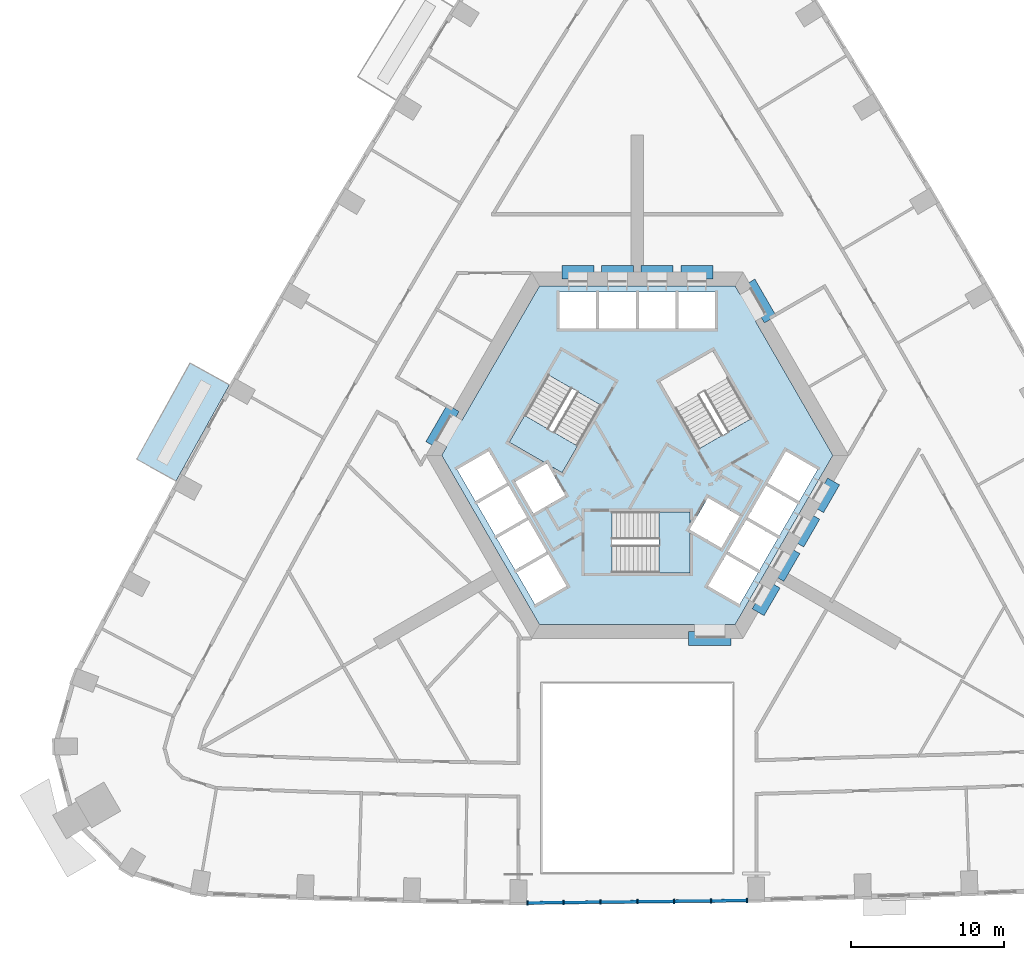
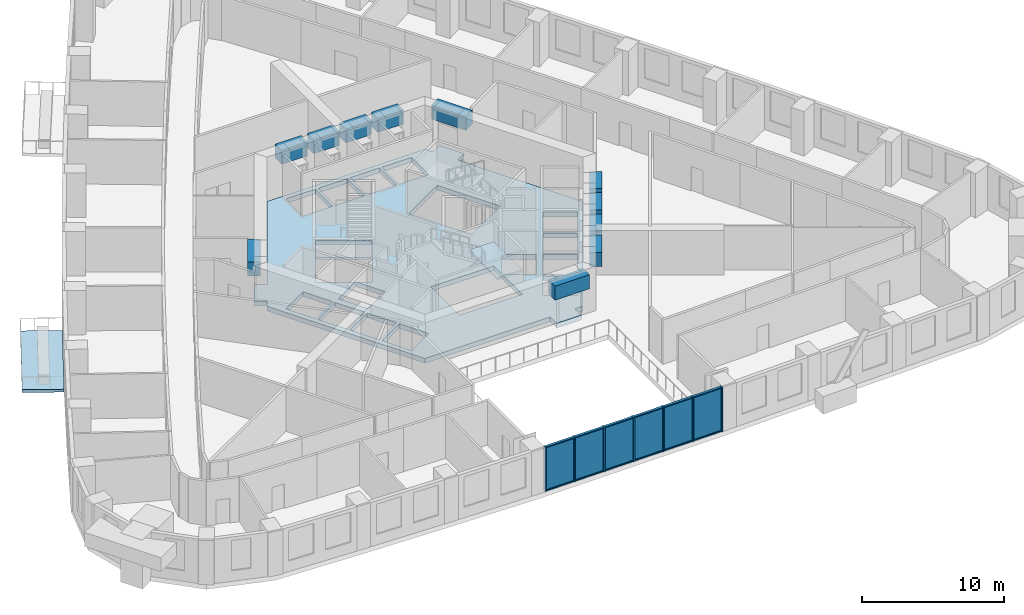
# One storey, part 2 of 15: 19 members, 11 beams, 6 plates, 4 slabs, 3 elements without a shape of their own.
"""IFC4 building model written with IfcOpenShell, lengths in metres."""

from ifc_helpers import new_model, si_unit, direction, frame, origin, origin_2d, place, context, subcontext, project, spatial, polyline, rectangle, outline, extrude, material, layer, layer_set, material_profile, profile_set, type_object, element, aggregate, save


model = new_model("IFC4")

# Units and contexts
model_context = context("Model", 3, precision=1e-05, world=origin(), true_north=direction((0.0, 1.0)))
body_context = subcontext(model_context, "Body", "Model", "MODEL_VIEW")
ifc_project = project(units=[si_unit("LENGTHUNIT", "METRE"), si_unit("AREAUNIT", "SQUARE_METRE"), si_unit("VOLUMEUNIT", "CUBIC_METRE"), si_unit("PLANEANGLEUNIT", "RADIAN"), si_unit("MASSUNIT", "GRAM", prefix="KILO")], contexts=[model_context])

# Site, building, storey
site_placement = place(None, origin())
site = spatial("IfcSite", under=ifc_project, at=site_placement, CompositionType="ELEMENT")
building_placement = place(site_placement, origin())
building = spatial("IfcBuilding", under=site, at=building_placement, Name="Entoto Arch Interchange Tower", CompositionType="ELEMENT")
storey_placement = place(building_placement, frame((0.0, 0.0, 107.60009765625)))
storey = spatial("IfcBuildingStorey", under=building, at=storey_placement, Name="L23", CompositionType="ELEMENT", Elevation=107.60009765625)

# Beams
ifc_material_1 = material(Name="Concrete C60/75", Category="concrete")
ifc_material_profile_1 = material_profile(ifc_material_1, rectangle(XDim=0.89990234375, YDim=1.199951171875, at=origin_2d()))
ifc_profile_set_1 = profile_set([ifc_material_profile_1], Name="Concrete C60/75")
beam_type = type_object("IfcBeamType", Name="Coupling beam RC 900x1200 C60/75", PredefinedType="BEAM", material=ifc_profile_set_1)
beam_1_placement = place(storey_placement, frame((8.717041015625, 11.402099609375, 3.0), z_axis=(-0.500200581029, 0.865909567298, 0.0), x_axis=(-0.865909567298, -0.500200581029, 0.0)))
element("IfcBeam", 1, at=beam_1_placement, inside=storey, type_object=beam_type, Name="Coupling beam NE L23", PredefinedType="BEAM", context=body_context, shape_type="SweptSolid", body=[
    extrude(rectangle(XDim=0.89990234375, YDim=1.199951171875, at=origin_2d()), origin(), (0.0, 0.0, 1.0), 2.799072265625),
])
beam_2_placement = place(storey_placement, frame((4.949951171875, 14.5, 3.0), z_axis=(-1.0, 0.0, 0.0), x_axis=(0.0, -1.0, 0.0)))
element("IfcBeam", 2, at=beam_2_placement, inside=storey, type_object=beam_type, Name="Coupling beam N L23", PredefinedType="BEAM", context=body_context, shape_type="SweptSolid", body=[
    extrude(rectangle(XDim=0.89990234375, YDim=1.199951171875, at=origin_2d()), origin(), (0.0, 0.0, 1.0), 2.099853515625),
])
for number, where, z_axis, x_axis, name in (
    (3, (2.35009765625, 14.5, 3.0), (-1.0, 0.0, 0.0), (0.0, -1.0, 0.0), "Coupling beam N L23"),
    (4, (-0.25, 14.5, 3.0), (-1.0, 0.0, 0.0), (0.0, -1.0, 0.0), "Coupling beam N L23"),
):
    element("IfcBeam", number, at=place(storey_placement, frame(where, z_axis=z_axis, x_axis=x_axis)), inside=storey, type_object=beam_type, Name=name, PredefinedType="BEAM", context=body_context, shape_type="SweptSolid", body=[
        extrude(rectangle(XDim=0.89990234375, YDim=1.199951171875, at=origin_2d()), origin(), (0.0, 0.0, 1.0), 2.10009765625),
    ])
beam_3_placement = place(storey_placement, frame((-2.85009765625, 14.5, 3.0), z_axis=(-1.0, 0.0, 0.0), x_axis=(0.0, -1.0, 0.0)))
element("IfcBeam", 5, at=beam_3_placement, inside=storey, type_object=beam_type, Name="Coupling beam N L23", PredefinedType="BEAM", context=body_context, shape_type="SweptSolid", body=[
    extrude(rectangle(XDim=0.89990234375, YDim=1.199951171875, at=origin_2d()), origin(), (0.0, 0.0, 1.0), 2.099853515625),
])
beam_4_placement = place(storey_placement, frame((-12.06689453125, 5.597900390625, 3.0), z_axis=(-0.500200581029, -0.865909567298, 0.0), x_axis=(0.865909567298, -0.500200581029, 0.0)))
element("IfcBeam", 6, at=beam_4_placement, inside=storey, type_object=beam_type, Name="Coupling beam NW L23", PredefinedType="BEAM", context=body_context, shape_type="SweptSolid", body=[
    extrude(rectangle(XDim=0.89990234375, YDim=1.199951171875, at=origin_2d()), origin(), (0.0, 0.0, 1.0), 2.799072265625),
])
beam_5_placement = place(storey_placement, frame((3.35009765625, -9.5, 3.0), z_axis=(1.0, 0.0, 0.0), x_axis=(0.0, 1.0, 0.0)))
element("IfcBeam", 7, at=beam_5_placement, inside=storey, type_object=beam_type, Name="Coupling beam S L23", PredefinedType="BEAM", context=body_context, shape_type="SweptSolid", body=[
    extrude(rectangle(XDim=0.89990234375, YDim=1.199951171875, at=origin_2d()), origin(), (0.0, 0.0, 1.0), 2.7998046875),
])
for number, where, z_axis, x_axis, name in (
    (8, (7.9169921875, -7.785888671875, 3.0), (0.500178781653, 0.865922159541, 0.0), (-0.865922159541, 0.500178781653, 0.0), "Coupling beam SE L23"),
    (9, (9.217041015625, -5.534912109375, 3.0), (0.500178781653, 0.865922159541, 0.0), (-0.865922159541, 0.500178781653, 0.0), "Coupling beam SE L23"),
):
    element("IfcBeam", number, at=place(storey_placement, frame(where, z_axis=z_axis, x_axis=x_axis)), inside=storey, type_object=beam_type, Name=name, PredefinedType="BEAM", context=body_context, shape_type="SweptSolid", body=[
        extrude(rectangle(XDim=0.89990234375, YDim=1.199951171875, at=origin_2d()), origin(), (0.0, 0.0, 1.0), 2.099365234375),
    ])
beam_6_placement = place(storey_placement, frame((10.51708984375, -3.282958984375, 3.0), z_axis=(0.500091574638, 0.865972526687, 0.0), x_axis=(-0.865972526687, 0.500091574638, 0.0)))
element("IfcBeam", 10, at=beam_6_placement, inside=storey, type_object=beam_type, Name="Coupling beam SE L23", PredefinedType="BEAM", context=body_context, shape_type="SweptSolid", body=[
    extrude(rectangle(XDim=0.89990234375, YDim=1.199951171875, at=origin_2d()), origin(), (0.0, 0.0, 1.0), 2.09912109375),
])
beam_7_placement = place(storey_placement, frame((11.81689453125, -1.031982421875, 3.0), z_axis=(0.500178781653, 0.865922159541, 0.0), x_axis=(-0.865922159541, 0.500178781653, 0.0)))
element("IfcBeam", 11, at=beam_7_placement, inside=storey, type_object=beam_type, Name="Coupling beam SE L23", PredefinedType="BEAM", context=body_context, shape_type="SweptSolid", body=[
    extrude(rectangle(XDim=0.89990234375, YDim=1.199951171875, at=origin_2d()), origin(), (0.0, 0.0, 1.0), 2.099365234375),
])

# Curtain wall, members
ifc_material_2 = material(Name="Aluminium, anodised", Category="aluminium")
curtain_wall_type = type_object("IfcCurtainWallType", Name="CURTAIN WALL ATRIUM", PredefinedType="NOTDEFINED", material=ifc_material_2)
curtain_wall_placement = place(storey_placement, origin())
curtain_wall = element("IfcCurtainWall", 12, at=curtain_wall_placement, inside=storey, type_object=curtain_wall_type, Name="Atrium glazing S-04 L23", PredefinedType="NOTDEFINED")
ifc_material_profile_2 = material_profile(ifc_material_2, rectangle(XDim=0.300048828125, YDim=0.10009765625, at=origin_2d()))
ifc_profile_set_2 = profile_set([ifc_material_profile_2], Name="Aluminium, anodised")
member_type_1 = type_object("IfcMemberType", Name="MULLION ATRIUM 100x300", PredefinedType="MULLION", material=ifc_profile_set_2)
member_1_placement = place(storey_placement, frame((-7.199951171875, -26.83447265625, 0.0), z_axis=(0.0, 0.0, 1.0), x_axis=(-0.011033811041, 0.999939125654, 0.0)))
member_1 = element("IfcMember", 13, at=member_1_placement, type_object=member_type_1, Name="CWA mullion 1", PredefinedType="MULLION", context=body_context, shape_type="SweptSolid", body=[
    extrude(rectangle(XDim=0.300048828125, YDim=0.10009765625, at=origin_2d()), origin(), (0.0, 0.0, 1.0), 3.7998046875),
])
member_2_placement = place(storey_placement, frame((-4.833251953125, -26.808349609375, 0.0), z_axis=(0.0, 0.0, 1.0), x_axis=(-0.011033811041, 0.999939125654, 0.0)))
member_2 = element("IfcMember", 14, at=member_2_placement, type_object=member_type_1, Name="CWA mullion 2", PredefinedType="MULLION", context=body_context, shape_type="SweptSolid", body=[
    extrude(rectangle(XDim=0.300048828125, YDim=0.10009765625, at=origin_2d()), origin(), (0.0, 0.0, 1.0), 3.7998046875),
])
member_3_placement = place(storey_placement, frame((-2.416748046875, -26.78173828125, 0.0), z_axis=(0.0, 0.0, 1.0), x_axis=(-0.011033811041, 0.999939125654, 0.0)))
member_3 = element("IfcMember", 15, at=member_3_placement, type_object=member_type_1, Name="CWA mullion 3", PredefinedType="MULLION", context=body_context, shape_type="SweptSolid", body=[
    extrude(rectangle(XDim=0.300048828125, YDim=0.10009765625, at=origin_2d()), origin(), (0.0, 0.0, 1.0), 3.7998046875),
])
member_4_placement = place(storey_placement, frame((0.0, -26.7548828125, 0.0), z_axis=(0.0, 0.0, 1.0), x_axis=(-0.011033811041, 0.999939125654, 0.0)))
member_4 = element("IfcMember", 16, at=member_4_placement, type_object=member_type_1, Name="CWA mullion 4", PredefinedType="MULLION", context=body_context, shape_type="SweptSolid", body=[
    extrude(rectangle(XDim=0.300048828125, YDim=0.10009765625, at=origin_2d()), origin(), (0.0, 0.0, 1.0), 3.7998046875),
])
member_5_placement = place(storey_placement, frame((2.416748046875, -26.728271484375, 0.0), z_axis=(0.0, 0.0, 1.0), x_axis=(-0.011033811041, 0.999939125654, 0.0)))
member_5 = element("IfcMember", 17, at=member_5_placement, type_object=member_type_1, Name="CWA mullion 5", PredefinedType="MULLION", context=body_context, shape_type="SweptSolid", body=[
    extrude(rectangle(XDim=0.300048828125, YDim=0.10009765625, at=origin_2d()), origin(), (0.0, 0.0, 1.0), 3.7998046875),
])
member_6_placement = place(storey_placement, frame((4.833251953125, -26.70166015625, 0.0), z_axis=(0.0, 0.0, 1.0), x_axis=(-0.011033811041, 0.999939125654, 0.0)))
member_6 = element("IfcMember", 18, at=member_6_placement, type_object=member_type_1, Name="CWA mullion 6", PredefinedType="MULLION", context=body_context, shape_type="SweptSolid", body=[
    extrude(rectangle(XDim=0.300048828125, YDim=0.10009765625, at=origin_2d()), origin(), (0.0, 0.0, 1.0), 3.7998046875),
])
member_7_placement = place(storey_placement, frame((7.199951171875, -26.675537109375, 0.0), z_axis=(0.0, 0.0, 1.0), x_axis=(-0.011033811041, 0.999939125654, 0.0)))
member_7 = element("IfcMember", 19, at=member_7_placement, type_object=member_type_1, Name="CWA mullion 7", PredefinedType="MULLION", context=body_context, shape_type="SweptSolid", body=[
    extrude(rectangle(XDim=0.300048828125, YDim=0.10009765625, at=origin_2d()), origin(), (0.0, 0.0, 1.0), 3.7998046875),
])
ifc_material_profile_3 = material_profile(ifc_material_2, rectangle(XDim=0.199951171875, YDim=0.080078125, at=origin_2d()))
ifc_profile_set_3 = profile_set([ifc_material_profile_3], Name="Aluminium, anodised")
member_type_2 = type_object("IfcMemberType", Name="TRANSOM ATRIUM 80x200", PredefinedType="USERDEFINED", material=ifc_profile_set_3)
member_8_placement = place(storey_placement, frame((-7.14990234375, -26.833984375, 0.039794921875), z_axis=(0.999938463314, 0.011093673171, 0.0), x_axis=(-0.011093673171, 0.999938463314, 0.0)))
member_8 = element("IfcMember", 20, at=member_8_placement, type_object=member_type_2, Name="CWA transom 1.1", ObjectType="TRANSOM", PredefinedType="USERDEFINED", context=body_context, shape_type="SweptSolid", body=[
    extrude(rectangle(XDim=0.199951171875, YDim=0.080078125, at=origin_2d()), origin(), (0.0, 0.0, 1.0), 2.266845703125),
])
member_9_placement = place(storey_placement, frame((-7.14990234375, -26.833984375, 3.760009765625), z_axis=(0.999938463314, 0.011093673171, 0.0), x_axis=(-0.011093673171, 0.999938463314, 0.0)))
member_9 = element("IfcMember", 21, at=member_9_placement, type_object=member_type_2, Name="CWA transom 1.2", ObjectType="TRANSOM", PredefinedType="USERDEFINED", context=body_context, shape_type="SweptSolid", body=[
    extrude(rectangle(XDim=0.199951171875, YDim=0.080078125, at=origin_2d()), origin(), (0.0, 0.0, 1.0), 2.266845703125),
])
member_10_placement = place(storey_placement, frame((-4.783447265625, -26.807861328125, 0.039794921875), z_axis=(0.999938796493, 0.011063601015, 0.0), x_axis=(-0.011063601015, 0.999938796493, 0.0)))
member_10 = element("IfcMember", 22, at=member_10_placement, type_object=member_type_2, Name="CWA transom 2.1", ObjectType="TRANSOM", PredefinedType="USERDEFINED", context=body_context, shape_type="SweptSolid", body=[
    extrude(rectangle(XDim=0.199951171875, YDim=0.080078125, at=origin_2d()), origin(), (0.0, 0.0, 1.0), 2.317138671875),
])
member_11_placement = place(storey_placement, frame((-4.783447265625, -26.807861328125, 3.760009765625), z_axis=(0.999938796493, 0.011063601015, 0.0), x_axis=(-0.011063601015, 0.999938796493, 0.0)))
member_11 = element("IfcMember", 23, at=member_11_placement, type_object=member_type_2, Name="CWA transom 2.2", ObjectType="TRANSOM", PredefinedType="USERDEFINED", context=body_context, shape_type="SweptSolid", body=[
    extrude(rectangle(XDim=0.199951171875, YDim=0.080078125, at=origin_2d()), origin(), (0.0, 0.0, 1.0), 2.317138671875),
])
member_12_placement = place(storey_placement, frame((-2.36669921875, -26.781005859375, 0.039794921875), z_axis=(0.999939943964, 0.010959400798, 0.0), x_axis=(-0.010959400798, 0.999939943964, 0.0)))
member_12 = element("IfcMember", 24, at=member_12_placement, type_object=member_type_2, Name="CWA transom 3.1", ObjectType="TRANSOM", PredefinedType="USERDEFINED", context=body_context, shape_type="SweptSolid", body=[
    extrude(rectangle(XDim=0.199951171875, YDim=0.080078125, at=origin_2d()), origin(), (0.0, 0.0, 1.0), 2.31689453125),
])
member_13_placement = place(storey_placement, frame((-2.36669921875, -26.781005859375, 3.760009765625), z_axis=(0.999939943964, 0.010959400798, 0.0), x_axis=(-0.010959400798, 0.999939943964, 0.0)))
member_13 = element("IfcMember", 25, at=member_13_placement, type_object=member_type_2, Name="CWA transom 3.2", ObjectType="TRANSOM", PredefinedType="USERDEFINED", context=body_context, shape_type="SweptSolid", body=[
    extrude(rectangle(XDim=0.199951171875, YDim=0.080078125, at=origin_2d()), origin(), (0.0, 0.0, 1.0), 2.31689453125),
])
member_14_placement = place(storey_placement, frame((0.050048828125, -26.75439453125, 0.039794921875), z_axis=(0.999939943964, 0.010959400798, 0.0), x_axis=(-0.010959400798, 0.999939943964, 0.0)))
member_14 = element("IfcMember", 26, at=member_14_placement, type_object=member_type_2, Name="CWA transom 4.1", ObjectType="TRANSOM", PredefinedType="USERDEFINED", context=body_context, shape_type="SweptSolid", body=[
    extrude(rectangle(XDim=0.199951171875, YDim=0.080078125, at=origin_2d()), origin(), (0.0, 0.0, 1.0), 2.31689453125),
])
member_15_placement = place(storey_placement, frame((0.050048828125, -26.75439453125, 3.760009765625), z_axis=(0.999939943964, 0.010959400798, 0.0), x_axis=(-0.010959400798, 0.999939943964, 0.0)))
member_15 = element("IfcMember", 27, at=member_15_placement, type_object=member_type_2, Name="CWA transom 4.2", ObjectType="TRANSOM", PredefinedType="USERDEFINED", context=body_context, shape_type="SweptSolid", body=[
    extrude(rectangle(XDim=0.199951171875, YDim=0.080078125, at=origin_2d()), origin(), (0.0, 0.0, 1.0), 2.31689453125),
])
member_16_placement = place(storey_placement, frame((2.466552734375, -26.727783203125, 0.039794921875), z_axis=(0.999938796493, 0.011063601015, 0.0), x_axis=(-0.011063601015, 0.999938796493, 0.0)))
member_16 = element("IfcMember", 28, at=member_16_placement, type_object=member_type_2, Name="CWA transom 5.1", ObjectType="TRANSOM", PredefinedType="USERDEFINED", context=body_context, shape_type="SweptSolid", body=[
    extrude(rectangle(XDim=0.199951171875, YDim=0.080078125, at=origin_2d()), origin(), (0.0, 0.0, 1.0), 2.317138671875),
])
member_17_placement = place(storey_placement, frame((2.466552734375, -26.727783203125, 3.760009765625), z_axis=(0.999938796493, 0.011063601015, 0.0), x_axis=(-0.011063601015, 0.999938796493, 0.0)))
member_17 = element("IfcMember", 29, at=member_17_placement, type_object=member_type_2, Name="CWA transom 5.2", ObjectType="TRANSOM", PredefinedType="USERDEFINED", context=body_context, shape_type="SweptSolid", body=[
    extrude(rectangle(XDim=0.199951171875, YDim=0.080078125, at=origin_2d()), origin(), (0.0, 0.0, 1.0), 2.317138671875),
])
member_18_placement = place(storey_placement, frame((4.88330078125, -26.701171875, 0.039794921875), z_axis=(0.999938463314, 0.011093673171, 0.0), x_axis=(-0.011093673171, 0.999938463314, 0.0)))
member_18 = element("IfcMember", 30, at=member_18_placement, type_object=member_type_2, Name="CWA transom 6.1", ObjectType="TRANSOM", PredefinedType="USERDEFINED", context=body_context, shape_type="SweptSolid", body=[
    extrude(rectangle(XDim=0.199951171875, YDim=0.080078125, at=origin_2d()), origin(), (0.0, 0.0, 1.0), 2.266845703125),
])
member_19_placement = place(storey_placement, frame((4.88330078125, -26.701171875, 3.760009765625), z_axis=(0.999938463314, 0.011093673171, 0.0), x_axis=(-0.011093673171, 0.999938463314, 0.0)))
member_19 = element("IfcMember", 31, at=member_19_placement, type_object=member_type_2, Name="CWA transom 6.2", ObjectType="TRANSOM", PredefinedType="USERDEFINED", context=body_context, shape_type="SweptSolid", body=[
    extrude(rectangle(XDim=0.199951171875, YDim=0.080078125, at=origin_2d()), origin(), (0.0, 0.0, 1.0), 2.266845703125),
])

# Slabs
ifc_material_3 = material(Name="Board-marked precast concrete C50/60", Category="concrete")
ifc_layer_1 = layer(ifc_material_3, 0.25)
ifc_layer_set_1 = layer_set([ifc_layer_1], Name="Board-marked precast concrete C50/60")
slab_type_1 = type_object("IfcSlabType", Name="BALCONY DECK PRECAST 250", PredefinedType="FLOOR", material=ifc_layer_set_1)
slab_1_placement = place(storey_placement, frame((0.0, 0.0, -0.25)))
element("IfcSlab", 32, at=slab_1_placement, inside=storey, type_object=slab_type_1, Name="Planted balcony NW-06 L23", PredefinedType="FLOOR", context=body_context, shape_type="SweptSolid", body=[
    extrude(outline(polyline([(-26.73291015625, 7.115966796875), (-30.22802734375, 0.81689453125), (-32.80810546875, 2.248046875), (-29.31298828125, 8.547119140625), (-26.73291015625, 7.115966796875)])), origin(), (0.0, 0.0, 1.0), 0.25),
])
ifc_material_4 = material(Name="Concrete C40/50", Category="concrete")
ifc_layer_2 = layer(ifc_material_4, 0.39990234375)
ifc_layer_set_2 = layer_set([ifc_layer_2], Name="Concrete C40/50")
slab_type_2 = type_object("IfcSlabType", Name="Core floor slab 400 C40/50", PredefinedType="FLOOR", material=ifc_layer_set_2)
slab_2_placement = place(storey_placement, frame((0.0, 0.0, -0.400146484375)))
element("IfcSlab", 33, at=slab_2_placement, inside=storey, type_object=slab_type_2, Name="Core floor slab L23", PredefinedType="FLOOR", context=body_context, shape_type="SweptSolid", body=[
    extrude(outline(polyline([(5.75, -9.5), (3.75, -9.5), (3.75, -8.60009765625), (-6.408935546875, -8.60009765625), (-12.81689453125, 2.5), (-12.488037109375, 3.070068359375), (-13.26708984375, 3.52001953125), (-12.26708984375, 5.251953125), (-11.488037109375, 4.802001953125), (-6.408935546875, 13.60009765625), (6.408935546875, 13.60009765625), (6.738037109375, 13.030029296875), (7.51708984375, 13.47998046875), (8.51708984375, 11.748046875), (7.738037109375, 11.298095703125), (12.81689453125, 2.5), (6.408935546875, -8.60009765625), (5.75, -8.60009765625), (5.75, -9.5)]), holes=[polyline([(-4.637939453125, -6.06689453125), (-5.837890625, -3.988037109375), (-7.916015625, -5.18798828125), (-6.716064453125, -7.26708984375), (-4.637939453125, -6.06689453125)]), polyline([(-5.93798828125, -3.81494140625), (-7.137939453125, -1.737060546875), (-9.216064453125, -2.93701171875), (-8.01611328125, -5.014892578125), (-5.93798828125, -3.81494140625)]), polyline([(5.5048828125, -3.56494140625), (6.705078125, -1.487060546875), (4.626953125, -0.287109375), (3.449951171875, -2.324951171875), (3.449951171875, -1.199951171875), (-1.64990234375, -1.199951171875), (-1.64990234375, -5.199951171875), (3.449951171875, -5.199951171875), (3.449951171875, -2.3779296875), (5.5048828125, -3.56494140625)]), polyline([(-7.238037109375, -1.56298828125), (-8.43798828125, 0.514892578125), (-10.51611328125, -0.68505859375), (-9.31591796875, -2.762939453125), (-7.238037109375, -1.56298828125)]), polyline([(-4.72705078125, -0.113037109375), (-5.904052734375, 1.925048828125), (-4.928955078125, 1.362060546875), (-2.37890625, 5.779052734375), (-5.843017578125, 7.779052734375), (-8.39306640625, 3.362060546875), (-5.949951171875, 1.951904296875), (-8.0048828125, 0.764892578125), (-6.804931640625, -1.31298828125), (-4.72705078125, -0.113037109375)]), polyline([(-8.5380859375, 0.68798828125), (-9.738037109375, 2.76708984375), (-11.81591796875, 1.56689453125), (-10.615966796875, -0.511962890625), (-8.5380859375, 0.68798828125)]), polyline([(-5.10009765625, 10.800048828125), (-2.699951171875, 10.800048828125), (-2.699951171875, 13.199951171875), (-5.10009765625, 13.199951171875), (-5.10009765625, 10.800048828125)]), polyline([(-2.5, 10.800048828125), (-0.10009765625, 10.800048828125), (-0.10009765625, 13.199951171875), (-2.5, 13.199951171875), (-2.5, 10.800048828125)]), polyline([(5.837890625, -3.988037109375), (4.637939453125, -6.06689453125), (6.716064453125, -7.26708984375), (7.916015625, -5.18798828125), (5.837890625, -3.988037109375)]), polyline([(7.137939453125, -1.737060546875), (5.93798828125, -3.81494140625), (8.01611328125, -5.014892578125), (9.216064453125, -2.93701171875), (7.137939453125, -1.737060546875)]), polyline([(8.43798828125, 0.514892578125), (7.238037109375, -1.56298828125), (9.31591796875, -2.762939453125), (10.51611328125, -0.68505859375), (8.43798828125, 0.514892578125)]), polyline([(9.738037109375, 2.76708984375), (8.5380859375, 0.68798828125), (10.615966796875, -0.511962890625), (11.81591796875, 1.56689453125), (9.738037109375, 2.76708984375)]), polyline([(4.029052734375, 2.9208984375), (7.492919921875, 4.9208984375), (4.943115234375, 9.337890625), (1.47900390625, 7.337890625), (4.029052734375, 2.9208984375)]), polyline([(0.10009765625, 13.199951171875), (0.10009765625, 10.800048828125), (2.5, 10.800048828125), (2.5, 13.199951171875), (0.10009765625, 13.199951171875)]), polyline([(2.699951171875, 13.199951171875), (2.699951171875, 10.800048828125), (5.10009765625, 10.800048828125), (5.10009765625, 13.199951171875), (2.699951171875, 13.199951171875)])]), origin(), (0.0, 0.0, 1.0), 0.400146484375),
])

# Stair, slab
stair_type = type_object("IfcStairType", Name="EXIT STAIR RC 1800", PredefinedType="HALF_TURN_STAIR", material=ifc_material_4)
stair_1_placement = place(storey_placement, origin())
stair_1 = element("IfcStair", 34, at=stair_1_placement, inside=storey, type_object=stair_type, Name="L23 Exit stair S", PredefinedType="HALF_TURN_STAIR")
ifc_layer_3 = layer(ifc_material_4, 0.199951171875)
ifc_layer_set_3 = layer_set([ifc_layer_3], Name="Concrete C40/50")
slab_type_3 = type_object("IfcSlabType", Name="EXIT STAIR LANDING RC 200", PredefinedType="LANDING", material=ifc_layer_set_3)
slab_3_placement = place(storey_placement, frame((0.0, 0.0, 1.89990234375)))
slab_3 = element("IfcSlab", 35, at=slab_3_placement, type_object=slab_type_3, Name="ST-S landing 1", PredefinedType="LANDING", context=body_context, shape_type="SweptSolid", body=[
    extrude(outline(polyline([(1.429931640625, -5.199951171875), (3.449951171875, -5.199951171875), (3.449951171875, -1.199951171875), (1.429931640625, -1.199951171875), (1.429931640625, -5.199951171875)])), origin(), (0.0, 0.0, 1.0), 0.199951171875),
])
aggregate(stair_1, [slab_3])

stair_2_placement = place(storey_placement, origin())
stair_2 = element("IfcStair", 36, at=stair_2_placement, inside=storey, type_object=stair_type, Name="L23 Exit stair NW", PredefinedType="HALF_TURN_STAIR")
slab_4_placement = place(storey_placement, frame((0.0, 0.0, 1.89990234375)))
slab_4 = element("IfcSlab", 37, at=slab_4_placement, type_object=slab_type_3, Name="ST-NW landing 1", PredefinedType="LANDING", context=body_context, shape_type="SweptSolid", body=[
    extrude(outline(polyline([(-7.38330078125, 5.111572265625), (-8.393310546875, 3.3623046875), (-4.92919921875, 1.3623046875), (-3.919189453125, 3.111572265625), (-7.38330078125, 5.111572265625)])), origin(), (0.0, 0.0, 1.0), 0.199951171875),
])
aggregate(stair_2, [slab_4])

# Plate
ifc_material_5 = material(Name="Clear glass, low-e double glazed", Category="glass")
ifc_layer_4 = layer(ifc_material_5, 0.031982421875)
ifc_layer_set_4 = layer_set([ifc_layer_4], Name="Clear glass, low-e double glazed")
plate_type = type_object("IfcPlateType", Name="GLAZING PANEL ATRIUM 32", PredefinedType="CURTAIN_PANEL", material=ifc_layer_set_4)
plate_1_placement = place(storey_placement, frame((-6.0166015625, -26.8212890625, 0.080078125), z_axis=(0.0, 0.0, 1.0), x_axis=(0.999939125654, 0.011033811041, 0.0)))
plate_1 = element("IfcPlate", 38, at=plate_1_placement, type_object=plate_type, Name="CWA panel 1.1", PredefinedType="CURTAIN_PANEL", context=body_context, shape_type="SweptSolid", body=[
    extrude(rectangle(XDim=2.266845703125, YDim=0.031982421875, at=origin_2d()), origin(), (0.0, 0.0, 1.0), 3.639892578125),
])

plate_2_placement = place(storey_placement, frame((-3.625, -26.794921875, 0.080078125), z_axis=(0.0, 0.0, 1.0), x_axis=(0.999939125654, 0.011033811041, 0.0)))
plate_2 = element("IfcPlate", 39, at=plate_2_placement, type_object=plate_type, Name="CWA panel 2.1", PredefinedType="CURTAIN_PANEL", context=body_context, shape_type="SweptSolid", body=[
    extrude(rectangle(XDim=2.31689453125, YDim=0.031982421875, at=origin_2d()), origin(), (0.0, 0.0, 1.0), 3.639892578125),
])

plate_3_placement = place(storey_placement, frame((-1.208251953125, -26.768310546875, 0.080078125), z_axis=(0.0, 0.0, 1.0), x_axis=(0.999939125654, 0.011033811041, 0.0)))
plate_3 = element("IfcPlate", 40, at=plate_3_placement, type_object=plate_type, Name="CWA panel 3.1", PredefinedType="CURTAIN_PANEL", context=body_context, shape_type="SweptSolid", body=[
    extrude(rectangle(XDim=2.31689453125, YDim=0.031982421875, at=origin_2d()), origin(), (0.0, 0.0, 1.0), 3.639892578125),
])

plate_4_placement = place(storey_placement, frame((1.208251953125, -26.74169921875, 0.080078125), z_axis=(0.0, 0.0, 1.0), x_axis=(0.999939125654, 0.011033811041, 0.0)))
plate_4 = element("IfcPlate", 41, at=plate_4_placement, type_object=plate_type, Name="CWA panel 4.1", PredefinedType="CURTAIN_PANEL", context=body_context, shape_type="SweptSolid", body=[
    extrude(rectangle(XDim=2.31689453125, YDim=0.031982421875, at=origin_2d()), origin(), (0.0, 0.0, 1.0), 3.639892578125),
])

plate_5_placement = place(storey_placement, frame((3.625, -26.715087890625, 0.080078125), z_axis=(0.0, 0.0, 1.0), x_axis=(0.999939125654, 0.011033811041, 0.0)))
plate_5 = element("IfcPlate", 42, at=plate_5_placement, type_object=plate_type, Name="CWA panel 5.1", PredefinedType="CURTAIN_PANEL", context=body_context, shape_type="SweptSolid", body=[
    extrude(rectangle(XDim=2.31689453125, YDim=0.031982421875, at=origin_2d()), origin(), (0.0, 0.0, 1.0), 3.639892578125),
])

plate_6_placement = place(storey_placement, frame((6.0166015625, -26.688720703125, 0.080078125), z_axis=(0.0, 0.0, 1.0), x_axis=(0.999939125654, 0.011033811041, 0.0)))
plate_6 = element("IfcPlate", 43, at=plate_6_placement, type_object=plate_type, Name="CWA panel 6.1", PredefinedType="CURTAIN_PANEL", context=body_context, shape_type="SweptSolid", body=[
    extrude(rectangle(XDim=2.266845703125, YDim=0.031982421875, at=origin_2d()), origin(), (0.0, 0.0, 1.0), 3.639892578125),
])

aggregate(curtain_wall, [member_1, member_2, member_3, member_4, member_5, member_6, member_7, member_8, member_9, plate_1, member_10, member_11, plate_2, member_12, member_13, plate_3, member_14, member_15, plate_4, member_16, member_17, plate_5, member_18, member_19, plate_6])

save(model, "model.ifc")
